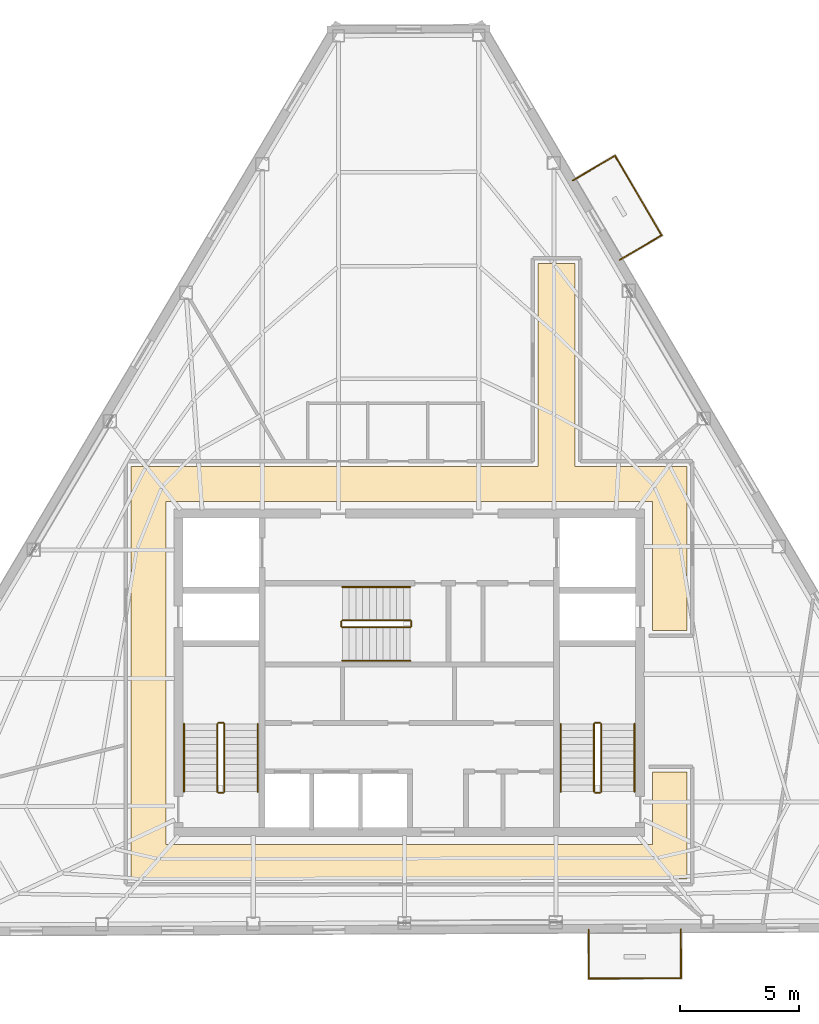
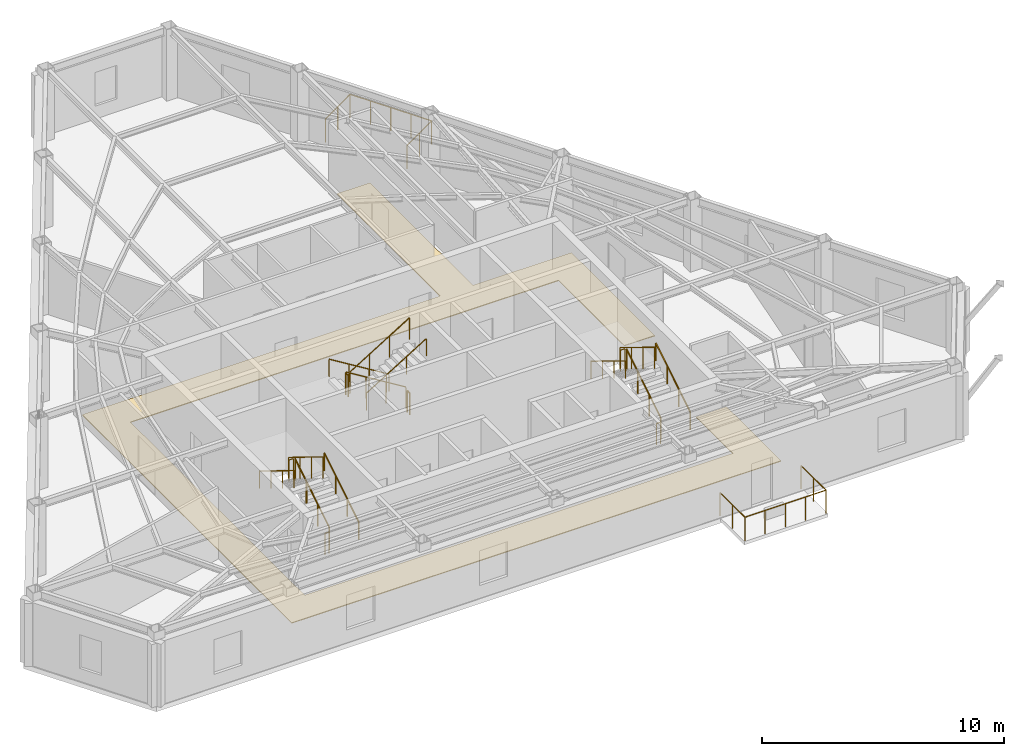
# One storey, part 9 of 9: 24 railings, 1 covering.
"""IFC4 building model written with IfcOpenShell, lengths in metres."""

from ifc_helpers import new_model, si_unit, direction, frame, origin, origin_2d, place, context, subcontext, project, spatial, polyline, circle, outline, extrude, material, layer, layer_set, type_object, element, save


model = new_model("IFC4")

# Units and contexts
model_context = context("Model", 3, precision=1e-05, world=origin(), true_north=direction((0.0, 1.0)))
body_context = subcontext(model_context, "Body", "Model", "MODEL_VIEW")
ifc_project = project(units=[si_unit("LENGTHUNIT", "METRE"), si_unit("AREAUNIT", "SQUARE_METRE"), si_unit("VOLUMEUNIT", "CUBIC_METRE"), si_unit("PLANEANGLEUNIT", "RADIAN"), si_unit("MASSUNIT", "GRAM", prefix="KILO")], contexts=[model_context])

# Site, building, storey
site_placement = place(None, origin())
site = spatial("IfcSite", under=ifc_project, at=site_placement, CompositionType="ELEMENT")
building_placement = place(site_placement, origin())
building = spatial("IfcBuilding", under=site, at=building_placement, Name="Kavelnor Concourse Tower", CompositionType="ELEMENT")
storey_placement = place(building_placement, frame((0.0, 0.0, 278.0)))
storey = spatial("IfcBuildingStorey", under=building, at=storey_placement, Name="L70", CompositionType="ELEMENT", Elevation=278.0)

# Covering
ifc_material_1 = material(Name="Honed bluestone and raised access floor finish", Category="masonry")
ifc_layer = layer(ifc_material_1, 0.0400390625, Name="Honed bluestone and raised access floor finish")
ifc_layer_set = layer_set([ifc_layer], Name="Honed bluestone and raised access floor finish")
covering_type = type_object("IfcCoveringType", Name="COV-FLOOR-STONE", PredefinedType="FLOORING", material=ifc_layer_set)
covering_placement = place(storey_placement, frame((0.0, 0.0, 0.001953125)))
element("IfcCovering", 1, at=covering_placement, inside=storey, type_object=covering_type, Name="L70 Honed Bluestone Floor Finish", PredefinedType="FLOORING", context=body_context, shape_type="SweptSolid", body=[
    extrude(outline(polyline([(44.97998046875, 24.77001953125), (49.68994140625, 24.77001953125), (49.68994140625, 17.8701171875), (48.22998046875, 17.8701171875), (48.22998046875, 23.31005859375), (27.77001953125, 23.31005859375), (27.77001953125, 8.889892578125), (48.22998046875, 8.889892578125), (48.22998046875, 11.929931640625), (49.68994140625, 11.929931640625), (49.68994140625, 7.429931640625), (26.31005859375, 7.429931640625), (26.31005859375, 24.77001953125), (43.419921875, 24.77001953125), (43.419921875, 33.306640625), (44.97998046875, 33.306640625), (44.97998046875, 24.77001953125)])), origin(), (0.0, 0.0, 1.0), 0.0400390625),
])

# Railings
ifc_material_2 = material(Name="Steel Grade 350", Category="steel")
railing_type_1 = type_object("IfcRailingType", Name="RLG-GUARD-1100", PredefinedType="GUARDRAIL", material=ifc_material_2)
railing_1_placement = place(storey_placement, frame((30.22998046875, 11.10009765625, 0.175048828125)))
element("IfcRailing", 2, at=railing_1_placement, inside=storey, type_object=railing_type_1, Name="L70 ST1 stair guard 1", PredefinedType="GUARDRAIL", context=body_context, shape_type="SweptSolid", body=[
    extrude(circle(Radius=0.02392578125, at=origin_2d()), frame((0.0, 0.0, 1.076171875), z_axis=(0.0, 0.852159232446, 0.523282564737), x_axis=(-1.0, 0.0, 0.0)), (0.0, 0.0, 1.0), 3.34423828125),
    extrude(circle(Radius=0.02099609375, at=origin_2d()), origin(), (0.0, 0.0, 1.0), 1.052001953125),
    extrude(circle(Radius=0.02099609375, at=origin_2d()), frame((0.0, 0.949951171875, 0.583251953125)), (0.0, 0.0, 1.0), 1.052001953125),
    extrude(circle(Radius=0.02099609375, at=origin_2d()), frame((0.0, 1.89990234375, 1.166748046875)), (0.0, 0.0, 1.0), 1.052001953125),
    extrude(circle(Radius=0.02099609375, at=origin_2d()), frame((0.0, 2.849853515625, 1.75)), (0.0, 0.0, 1.0), 1.052001953125),
])
railing_2_placement = place(storey_placement, frame((30.179931640625, 14.0, 1.925048828125)))
element("IfcRailing", 3, at=railing_2_placement, inside=storey, type_object=railing_type_1, Name="L70 ST1 stair guard 2", PredefinedType="GUARDRAIL", context=body_context, shape_type="SweptSolid", body=[
    extrude(circle(Radius=0.02392578125, at=origin_2d()), frame((0.0, 0.0, 1.076171875), z_axis=(-1.0, 0.0, 0.0), x_axis=(0.0, -1.0, 0.0)), (0.0, 0.0, 1.0), 0.199951171875),
    extrude(circle(Radius=0.02099609375, at=origin_2d()), origin(), (0.0, 0.0, 1.0), 1.052001953125),
    extrude(circle(Radius=0.02099609375, at=origin_2d()), frame((-0.199951171875, 0.0, 0.0)), (0.0, 0.0, 1.0), 1.052001953125),
])
railing_3_placement = place(storey_placement, frame((29.929931640625, 13.949951171875, 2.10009765625)))
element("IfcRailing", 4, at=railing_3_placement, inside=storey, type_object=railing_type_1, Name="L70 ST1 stair guard 3", PredefinedType="GUARDRAIL", context=body_context, shape_type="SweptSolid", body=[
    extrude(circle(Radius=0.02392578125, at=origin_2d()), frame((0.0, 0.0, 1.076171875), z_axis=(0.0, -0.852159232446, 0.523282564737), x_axis=(1.0, 0.0, 0.0)), (0.0, 0.0, 1.0), 3.34423828125),
    extrude(circle(Radius=0.02099609375, at=origin_2d()), origin(), (0.0, 0.0, 1.0), 1.052001953125),
    extrude(circle(Radius=0.02099609375, at=origin_2d()), frame((0.0, -0.949951171875, 0.583251953125)), (0.0, 0.0, 1.0), 1.052001953125),
    extrude(circle(Radius=0.02099609375, at=origin_2d()), frame((0.0, -1.89990234375, 1.166748046875)), (0.0, 0.0, 1.0), 1.052001953125),
    extrude(circle(Radius=0.02099609375, at=origin_2d()), frame((0.0, -2.849853515625, 1.75)), (0.0, 0.0, 1.0), 1.052001953125),
])
railing_4_placement = place(storey_placement, frame((30.179931640625, 11.050048828125, 0.0)))
element("IfcRailing", 5, at=railing_4_placement, inside=storey, type_object=railing_type_1, Name="L70 ST1 stair guard 4", PredefinedType="GUARDRAIL", context=body_context, shape_type="SweptSolid", body=[
    extrude(circle(Radius=0.02392578125, at=origin_2d()), frame((0.0, 0.0, 1.076171875), z_axis=(-1.0, 0.0, 0.0), x_axis=(0.0, -1.0, 0.0)), (0.0, 0.0, 1.0), 0.199951171875),
    extrude(circle(Radius=0.02099609375, at=origin_2d()), origin(), (0.0, 0.0, 1.0), 1.052001953125),
    extrude(circle(Radius=0.02099609375, at=origin_2d()), frame((-0.199951171875, 0.0, 0.0)), (0.0, 0.0, 1.0), 1.052001953125),
])
railing_5_placement = place(storey_placement, frame((46.070068359375, 11.10009765625, 0.175048828125)))
element("IfcRailing", 6, at=railing_5_placement, inside=storey, type_object=railing_type_1, Name="L70 ST2 stair guard 1", PredefinedType="GUARDRAIL", context=body_context, shape_type="SweptSolid", body=[
    extrude(circle(Radius=0.02392578125, at=origin_2d()), frame((0.0, 0.0, 1.076171875), z_axis=(0.0, 0.852159232446, 0.523282564737), x_axis=(-1.0, 0.0, 0.0)), (0.0, 0.0, 1.0), 3.34423828125),
    extrude(circle(Radius=0.02099609375, at=origin_2d()), origin(), (0.0, 0.0, 1.0), 1.052001953125),
    extrude(circle(Radius=0.02099609375, at=origin_2d()), frame((0.0, 0.949951171875, 0.583251953125)), (0.0, 0.0, 1.0), 1.052001953125),
    extrude(circle(Radius=0.02099609375, at=origin_2d()), frame((0.0, 1.89990234375, 1.166748046875)), (0.0, 0.0, 1.0), 1.052001953125),
    extrude(circle(Radius=0.02099609375, at=origin_2d()), frame((0.0, 2.849853515625, 1.75)), (0.0, 0.0, 1.0), 1.052001953125),
])
railing_6_placement = place(storey_placement, frame((46.02001953125, 14.0, 1.925048828125)))
element("IfcRailing", 7, at=railing_6_placement, inside=storey, type_object=railing_type_1, Name="L70 ST2 stair guard 2", PredefinedType="GUARDRAIL", context=body_context, shape_type="SweptSolid", body=[
    extrude(circle(Radius=0.02392578125, at=origin_2d()), frame((0.0, 0.0, 1.076171875), z_axis=(-1.0, 0.0, 0.0), x_axis=(0.0, -1.0, 0.0)), (0.0, 0.0, 1.0), 0.199951171875),
    extrude(circle(Radius=0.02099609375, at=origin_2d()), origin(), (0.0, 0.0, 1.0), 1.052001953125),
    extrude(circle(Radius=0.02099609375, at=origin_2d()), frame((-0.199951171875, 0.0, 0.0)), (0.0, 0.0, 1.0), 1.052001953125),
])
railing_7_placement = place(storey_placement, frame((45.77001953125, 13.949951171875, 2.10009765625)))
element("IfcRailing", 8, at=railing_7_placement, inside=storey, type_object=railing_type_1, Name="L70 ST2 stair guard 3", PredefinedType="GUARDRAIL", context=body_context, shape_type="SweptSolid", body=[
    extrude(circle(Radius=0.02392578125, at=origin_2d()), frame((0.0, 0.0, 1.076171875), z_axis=(0.0, -0.852159232446, 0.523282564737), x_axis=(1.0, 0.0, 0.0)), (0.0, 0.0, 1.0), 3.34423828125),
    extrude(circle(Radius=0.02099609375, at=origin_2d()), origin(), (0.0, 0.0, 1.0), 1.052001953125),
    extrude(circle(Radius=0.02099609375, at=origin_2d()), frame((0.0, -0.949951171875, 0.583251953125)), (0.0, 0.0, 1.0), 1.052001953125),
    extrude(circle(Radius=0.02099609375, at=origin_2d()), frame((0.0, -1.89990234375, 1.166748046875)), (0.0, 0.0, 1.0), 1.052001953125),
    extrude(circle(Radius=0.02099609375, at=origin_2d()), frame((0.0, -2.849853515625, 1.75)), (0.0, 0.0, 1.0), 1.052001953125),
])
railing_8_placement = place(storey_placement, frame((46.02001953125, 11.050048828125, 0.0)))
element("IfcRailing", 9, at=railing_8_placement, inside=storey, type_object=railing_type_1, Name="L70 ST2 stair guard 4", PredefinedType="GUARDRAIL", context=body_context, shape_type="SweptSolid", body=[
    extrude(circle(Radius=0.02392578125, at=origin_2d()), frame((0.0, 0.0, 1.076171875), z_axis=(-1.0, 0.0, 0.0), x_axis=(0.0, -1.0, 0.0)), (0.0, 0.0, 1.0), 0.199951171875),
    extrude(circle(Radius=0.02099609375, at=origin_2d()), origin(), (0.0, 0.0, 1.0), 1.052001953125),
    extrude(circle(Radius=0.02099609375, at=origin_2d()), frame((-0.199951171875, 0.0, 0.0)), (0.0, 0.0, 1.0), 1.052001953125),
])
railing_9_placement = place(storey_placement, frame((38.0400390625, 18.31005859375, 0.175048828125)))
element("IfcRailing", 10, at=railing_9_placement, inside=storey, type_object=railing_type_1, Name="L70 ST3 stair guard 1", PredefinedType="GUARDRAIL", context=body_context, shape_type="SweptSolid", body=[
    extrude(circle(Radius=0.02392578125, at=origin_2d()), frame((0.0, 0.0, 1.076171875), z_axis=(-0.852179220489, 0.0, 0.52325001306), x_axis=(0.0, -1.0, 0.0)), (0.0, 0.0, 1.0), 3.344482421875),
    extrude(circle(Radius=0.02099609375, at=origin_2d()), origin(), (0.0, 0.0, 1.0), 1.052001953125),
    extrude(circle(Radius=0.02099609375, at=origin_2d()), frame((-0.949951171875, 0.0, 0.583251953125)), (0.0, 0.0, 1.0), 1.052001953125),
    extrude(circle(Radius=0.02099609375, at=origin_2d()), frame((-1.900146484375, 0.0, 1.166748046875)), (0.0, 0.0, 1.0), 1.052001953125),
    extrude(circle(Radius=0.02099609375, at=origin_2d()), frame((-2.85009765625, 0.0, 1.75)), (0.0, 0.0, 1.0), 1.052001953125),
])
railing_10_placement = place(storey_placement, frame((35.139892578125, 18.260009765625, 1.925048828125)))
element("IfcRailing", 11, at=railing_10_placement, inside=storey, type_object=railing_type_1, Name="L70 ST3 stair guard 2", PredefinedType="GUARDRAIL", context=body_context, shape_type="SweptSolid", body=[
    extrude(circle(Radius=0.02392578125, at=origin_2d()), frame((0.0, 0.0, 1.076171875), z_axis=(0.0, -1.0, 0.0), x_axis=(1.0, 0.0, 0.0)), (0.0, 0.0, 1.0), 0.199951171875),
    extrude(circle(Radius=0.02099609375, at=origin_2d()), origin(), (0.0, 0.0, 1.0), 1.052001953125),
    extrude(circle(Radius=0.02099609375, at=origin_2d()), frame((0.0, -0.199951171875, 0.0)), (0.0, 0.0, 1.0), 1.052001953125),
])
railing_11_placement = place(storey_placement, frame((35.18994140625, 18.010009765625, 2.10009765625)))
element("IfcRailing", 12, at=railing_11_placement, inside=storey, type_object=railing_type_1, Name="L70 ST3 stair guard 3", PredefinedType="GUARDRAIL", context=body_context, shape_type="SweptSolid", body=[
    extrude(circle(Radius=0.02392578125, at=origin_2d()), frame((0.0, 0.0, 1.076171875), z_axis=(0.852179220489, 0.0, 0.52325001306), x_axis=(0.0, 1.0, 0.0)), (0.0, 0.0, 1.0), 3.344482421875),
    extrude(circle(Radius=0.02099609375, at=origin_2d()), origin(), (0.0, 0.0, 1.0), 1.052001953125),
    extrude(circle(Radius=0.02099609375, at=origin_2d()), frame((0.949951171875, 0.0, 0.583251953125)), (0.0, 0.0, 1.0), 1.052001953125),
    extrude(circle(Radius=0.02099609375, at=origin_2d()), frame((1.900146484375, 0.0, 1.166748046875)), (0.0, 0.0, 1.0), 1.052001953125),
    extrude(circle(Radius=0.02099609375, at=origin_2d()), frame((2.85009765625, 0.0, 1.75)), (0.0, 0.0, 1.0), 1.052001953125),
])
railing_12_placement = place(storey_placement, frame((38.090087890625, 18.260009765625, 0.0)))
element("IfcRailing", 13, at=railing_12_placement, inside=storey, type_object=railing_type_1, Name="L70 ST3 stair guard 4", PredefinedType="GUARDRAIL", context=body_context, shape_type="SweptSolid", body=[
    extrude(circle(Radius=0.02392578125, at=origin_2d()), frame((0.0, 0.0, 1.076171875), z_axis=(0.0, -1.0, 0.0), x_axis=(1.0, 0.0, 0.0)), (0.0, 0.0, 1.0), 0.199951171875),
    extrude(circle(Radius=0.02099609375, at=origin_2d()), origin(), (0.0, 0.0, 1.0), 1.052001953125),
    extrude(circle(Radius=0.02099609375, at=origin_2d()), frame((0.0, -0.199951171875, 0.0)), (0.0, 0.0, 1.0), 1.052001953125),
])
railing_type_2 = type_object("IfcRailingType", Name="RLG-HANDRAIL-900", PredefinedType="HANDRAIL", material=ifc_material_2)
railing_13_placement = place(storey_placement, frame((31.6298828125, 11.10009765625, 0.175048828125)))
element("IfcRailing", 14, at=railing_13_placement, inside=storey, type_object=railing_type_2, Name="L70 ST1 stair handrail 1", PredefinedType="HANDRAIL", context=body_context, shape_type="SweptSolid", body=[
    extrude(circle(Radius=0.02392578125, at=origin_2d()), frame((0.0, 0.0, 0.8759765625), z_axis=(0.0, 0.852159232446, 0.523282564737), x_axis=(-1.0, 0.0, 0.0)), (0.0, 0.0, 1.0), 3.34423828125),
    extrude(circle(Radius=0.02099609375, at=origin_2d()), origin(), (0.0, 0.0, 1.0), 0.851806640625),
    extrude(circle(Radius=0.02099609375, at=origin_2d()), frame((0.0, 0.949951171875, 0.583251953125)), (0.0, 0.0, 1.0), 0.851806640625),
    extrude(circle(Radius=0.02099609375, at=origin_2d()), frame((0.0, 1.89990234375, 1.166748046875)), (0.0, 0.0, 1.0), 0.851806640625),
    extrude(circle(Radius=0.02099609375, at=origin_2d()), frame((0.0, 2.849853515625, 1.75)), (0.0, 0.0, 1.0), 0.851806640625),
])
railing_14_placement = place(storey_placement, frame((28.530029296875, 13.949951171875, 2.10009765625)))
element("IfcRailing", 15, at=railing_14_placement, inside=storey, type_object=railing_type_2, Name="L70 ST1 stair handrail 2", PredefinedType="HANDRAIL", context=body_context, shape_type="SweptSolid", body=[
    extrude(circle(Radius=0.02392578125, at=origin_2d()), frame((0.0, 0.0, 0.8759765625), z_axis=(0.0, -0.852159232446, 0.523282564737), x_axis=(1.0, 0.0, 0.0)), (0.0, 0.0, 1.0), 3.34423828125),
    extrude(circle(Radius=0.02099609375, at=origin_2d()), origin(), (0.0, 0.0, 1.0), 0.851806640625),
    extrude(circle(Radius=0.02099609375, at=origin_2d()), frame((0.0, -0.949951171875, 0.583251953125)), (0.0, 0.0, 1.0), 0.851806640625),
    extrude(circle(Radius=0.02099609375, at=origin_2d()), frame((0.0, -1.89990234375, 1.166748046875)), (0.0, 0.0, 1.0), 0.851806640625),
    extrude(circle(Radius=0.02099609375, at=origin_2d()), frame((0.0, -2.849853515625, 1.75)), (0.0, 0.0, 1.0), 0.851806640625),
])
railing_15_placement = place(storey_placement, frame((47.469970703125, 11.10009765625, 0.175048828125)))
element("IfcRailing", 16, at=railing_15_placement, inside=storey, type_object=railing_type_2, Name="L70 ST2 stair handrail 1", PredefinedType="HANDRAIL", context=body_context, shape_type="SweptSolid", body=[
    extrude(circle(Radius=0.02392578125, at=origin_2d()), frame((0.0, 0.0, 0.8759765625), z_axis=(0.0, 0.852159232446, 0.523282564737), x_axis=(-1.0, 0.0, 0.0)), (0.0, 0.0, 1.0), 3.34423828125),
    extrude(circle(Radius=0.02099609375, at=origin_2d()), origin(), (0.0, 0.0, 1.0), 0.851806640625),
    extrude(circle(Radius=0.02099609375, at=origin_2d()), frame((0.0, 0.949951171875, 0.583251953125)), (0.0, 0.0, 1.0), 0.851806640625),
    extrude(circle(Radius=0.02099609375, at=origin_2d()), frame((0.0, 1.89990234375, 1.166748046875)), (0.0, 0.0, 1.0), 0.851806640625),
    extrude(circle(Radius=0.02099609375, at=origin_2d()), frame((0.0, 2.849853515625, 1.75)), (0.0, 0.0, 1.0), 0.851806640625),
])
railing_16_placement = place(storey_placement, frame((44.3701171875, 13.949951171875, 2.10009765625)))
element("IfcRailing", 17, at=railing_16_placement, inside=storey, type_object=railing_type_2, Name="L70 ST2 stair handrail 2", PredefinedType="HANDRAIL", context=body_context, shape_type="SweptSolid", body=[
    extrude(circle(Radius=0.02392578125, at=origin_2d()), frame((0.0, 0.0, 0.8759765625), z_axis=(0.0, -0.852159232446, 0.523282564737), x_axis=(1.0, 0.0, 0.0)), (0.0, 0.0, 1.0), 3.34423828125),
    extrude(circle(Radius=0.02099609375, at=origin_2d()), origin(), (0.0, 0.0, 1.0), 0.851806640625),
    extrude(circle(Radius=0.02099609375, at=origin_2d()), frame((0.0, -0.949951171875, 0.583251953125)), (0.0, 0.0, 1.0), 0.851806640625),
    extrude(circle(Radius=0.02099609375, at=origin_2d()), frame((0.0, -1.89990234375, 1.166748046875)), (0.0, 0.0, 1.0), 0.851806640625),
    extrude(circle(Radius=0.02099609375, at=origin_2d()), frame((0.0, -2.849853515625, 1.75)), (0.0, 0.0, 1.0), 0.851806640625),
])
railing_17_placement = place(storey_placement, frame((38.0400390625, 19.7099609375, 0.175048828125)))
element("IfcRailing", 18, at=railing_17_placement, inside=storey, type_object=railing_type_2, Name="L70 ST3 stair handrail 1", PredefinedType="HANDRAIL", context=body_context, shape_type="SweptSolid", body=[
    extrude(circle(Radius=0.02392578125, at=origin_2d()), frame((0.0, 0.0, 0.8759765625), z_axis=(-0.852179220489, 0.0, 0.52325001306), x_axis=(0.0, -1.0, 0.0)), (0.0, 0.0, 1.0), 3.344482421875),
    extrude(circle(Radius=0.02099609375, at=origin_2d()), origin(), (0.0, 0.0, 1.0), 0.851806640625),
    extrude(circle(Radius=0.02099609375, at=origin_2d()), frame((-0.949951171875, 0.0, 0.583251953125)), (0.0, 0.0, 1.0), 0.851806640625),
    extrude(circle(Radius=0.02099609375, at=origin_2d()), frame((-1.900146484375, 0.0, 1.166748046875)), (0.0, 0.0, 1.0), 0.851806640625),
    extrude(circle(Radius=0.02099609375, at=origin_2d()), frame((-2.85009765625, 0.0, 1.75)), (0.0, 0.0, 1.0), 0.851806640625),
])
railing_18_placement = place(storey_placement, frame((35.18994140625, 16.610107421875, 2.10009765625)))
element("IfcRailing", 19, at=railing_18_placement, inside=storey, type_object=railing_type_2, Name="L70 ST3 stair handrail 2", PredefinedType="HANDRAIL", context=body_context, shape_type="SweptSolid", body=[
    extrude(circle(Radius=0.02392578125, at=origin_2d()), frame((0.0, 0.0, 0.8759765625), z_axis=(0.852179220489, 0.0, 0.52325001306), x_axis=(0.0, 1.0, 0.0)), (0.0, 0.0, 1.0), 3.344482421875),
    extrude(circle(Radius=0.02099609375, at=origin_2d()), origin(), (0.0, 0.0, 1.0), 0.851806640625),
    extrude(circle(Radius=0.02099609375, at=origin_2d()), frame((0.949951171875, 0.0, 0.583251953125)), (0.0, 0.0, 1.0), 0.851806640625),
    extrude(circle(Radius=0.02099609375, at=origin_2d()), frame((1.900146484375, 0.0, 1.166748046875)), (0.0, 0.0, 1.0), 0.851806640625),
    extrude(circle(Radius=0.02099609375, at=origin_2d()), frame((2.85009765625, 0.0, 1.75)), (0.0, 0.0, 1.0), 0.851806640625),
])
ifc_material_3 = material(Name="Architectural bronze-anodised aluminium", Category="aluminium")
railing_type_3 = type_object("IfcRailingType", Name="RLG-TERRACE-1200", PredefinedType="BALUSTRADE", material=ifc_material_3)
railing_19_placement = place(storey_placement, frame((45.54150390625, 5.2939453125, 0.0)))
element("IfcRailing", 20, at=railing_19_placement, inside=storey, type_object=railing_type_3, Name="L70 Tree Balcony 1 Guardrail L", PredefinedType="BALUSTRADE", context=body_context, shape_type="SweptSolid", body=[
    extrude(circle(Radius=0.02392578125, at=origin_2d()), frame((0.0, 0.0, 1.17578125), z_axis=(0.00440629282, -0.999990292245, 0.0), x_axis=(0.999990292245, 0.00440629282, 0.0)), (0.0, 0.0, 1.0), 2.050048828125),
    extrude(circle(Radius=0.02099609375, at=origin_2d()), origin(), (0.0, 0.0, 1.0), 1.15185546875),
    extrude(circle(Radius=0.02099609375, at=origin_2d()), frame((0.00439453125, -1.02490234375, 0.0)), (0.0, 0.0, 1.0), 1.15185546875),
    extrude(circle(Radius=0.02099609375, at=origin_2d()), frame((0.009033203125, -2.050048828125, 0.0)), (0.0, 0.0, 1.0), 1.15185546875),
])
railing_20_placement = place(storey_placement, frame((45.550537109375, 3.243896484375, 0.0)))
element("IfcRailing", 21, at=railing_20_placement, inside=storey, type_object=railing_type_3, Name="L70 Tree Balcony 1 Guardrail F", PredefinedType="BALUSTRADE", context=body_context, shape_type="SweptSolid", body=[
    extrude(circle(Radius=0.02392578125, at=origin_2d()), frame((0.0, 0.0, 1.17578125), z_axis=(0.999990299309, 0.004404689212, 0.0), x_axis=(-0.004404689212, 0.999990299309, 0.0)), (0.0, 0.0, 1.0), 3.8798828125),
    extrude(circle(Radius=0.02099609375, at=origin_2d()), origin(), (0.0, 0.0, 1.0), 1.15185546875),
    extrude(circle(Radius=0.02099609375, at=origin_2d()), frame((0.969970703125, 0.00439453125, 0.0)), (0.0, 0.0, 1.0), 1.15185546875),
    extrude(circle(Radius=0.02099609375, at=origin_2d()), frame((1.93994140625, 0.008544921875, 0.0)), (0.0, 0.0, 1.0), 1.15185546875),
    extrude(circle(Radius=0.02099609375, at=origin_2d()), frame((2.909912109375, 0.0126953125, 0.0)), (0.0, 0.0, 1.0), 1.15185546875),
    extrude(circle(Radius=0.02099609375, at=origin_2d()), frame((3.8798828125, 0.01708984375, 0.0)), (0.0, 0.0, 1.0), 1.15185546875),
])
railing_21_placement = place(storey_placement, frame((49.430419921875, 3.260986328125, 0.0)))
element("IfcRailing", 22, at=railing_21_placement, inside=storey, type_object=railing_type_3, Name="L70 Tree Balcony 1 Guardrail R", PredefinedType="BALUSTRADE", context=body_context, shape_type="SweptSolid", body=[
    extrude(circle(Radius=0.02392578125, at=origin_2d()), frame((0.0, 0.0, 1.17578125), z_axis=(-0.00440629282, 0.999990292245, 0.0), x_axis=(-0.999990292245, -0.00440629282, 0.0)), (0.0, 0.0, 1.0), 2.050048828125),
    extrude(circle(Radius=0.02099609375, at=origin_2d()), origin(), (0.0, 0.0, 1.0), 1.15185546875),
    extrude(circle(Radius=0.02099609375, at=origin_2d()), frame((-0.00439453125, 1.02490234375, 0.0)), (0.0, 0.0, 1.0), 1.15185546875),
    extrude(circle(Radius=0.02099609375, at=origin_2d()), frame((-0.009033203125, 2.050048828125, 0.0)), (0.0, 0.0, 1.0), 1.15185546875),
])
railing_22_placement = place(storey_placement, frame((46.84619140625, 33.458251953125, 0.0)))
element("IfcRailing", 23, at=railing_22_placement, inside=storey, type_object=railing_type_3, Name="L70 Tree Balcony 2 Guardrail L", PredefinedType="BALUSTRADE", context=body_context, shape_type="SweptSolid", body=[
    extrude(circle(Radius=0.02392578125, at=origin_2d()), frame((0.0, 0.0, 1.17578125), z_axis=(0.862402221813, 0.506223673699, 0.0), x_axis=(-0.506223673699, 0.862402221813, 0.0)), (0.0, 0.0, 1.0), 2.050048828125),
    extrude(circle(Radius=0.02099609375, at=origin_2d()), origin(), (0.0, 0.0, 1.0), 1.15185546875),
    extrude(circle(Radius=0.02099609375, at=origin_2d()), frame((0.884033203125, 0.51904296875, 0.0)), (0.0, 0.0, 1.0), 1.15185546875),
    extrude(circle(Radius=0.02099609375, at=origin_2d()), frame((1.76806640625, 1.037841796875, 0.0)), (0.0, 0.0, 1.0), 1.15185546875),
])
railing_23_placement = place(storey_placement, frame((48.6142578125, 34.49609375, 0.0)))
element("IfcRailing", 24, at=railing_23_placement, inside=storey, type_object=railing_type_3, Name="L70 Tree Balcony 2 Guardrail F", PredefinedType="BALUSTRADE", context=body_context, shape_type="SweptSolid", body=[
    extrude(circle(Radius=0.02392578125, at=origin_2d()), frame((0.0, 0.0, 1.17578125), z_axis=(-0.506208707705, 0.862411006564, 0.0), x_axis=(-0.862411006564, -0.506208707705, 0.0)), (0.0, 0.0, 1.0), 3.880126953125),
    extrude(circle(Radius=0.02099609375, at=origin_2d()), origin(), (0.0, 0.0, 1.0), 1.15185546875),
    extrude(circle(Radius=0.02099609375, at=origin_2d()), frame((-0.490966796875, 0.83642578125, 0.0)), (0.0, 0.0, 1.0), 1.15185546875),
    extrude(circle(Radius=0.02099609375, at=origin_2d()), frame((-0.98193359375, 1.673095703125, 0.0)), (0.0, 0.0, 1.0), 1.15185546875),
    extrude(circle(Radius=0.02099609375, at=origin_2d()), frame((-1.47314453125, 2.509765625, 0.0)), (0.0, 0.0, 1.0), 1.15185546875),
    extrude(circle(Radius=0.02099609375, at=origin_2d()), frame((-1.964111328125, 3.34619140625, 0.0)), (0.0, 0.0, 1.0), 1.15185546875),
])
railing_24_placement = place(storey_placement, frame((46.650146484375, 37.84228515625, 0.0)))
element("IfcRailing", 25, at=railing_24_placement, inside=storey, type_object=railing_type_3, Name="L70 Tree Balcony 2 Guardrail R", PredefinedType="BALUSTRADE", context=body_context, shape_type="SweptSolid", body=[
    extrude(circle(Radius=0.02392578125, at=origin_2d()), frame((0.0, 0.0, 1.17578125), z_axis=(-0.862371700504, -0.506275666184, 0.0), x_axis=(0.506275666184, -0.862371700504, 0.0)), (0.0, 0.0, 1.0), 2.050048828125),
    extrude(circle(Radius=0.02099609375, at=origin_2d()), origin(), (0.0, 0.0, 1.0), 1.15185546875),
    extrude(circle(Radius=0.02099609375, at=origin_2d()), frame((-0.8837890625, -0.51904296875, 0.0)), (0.0, 0.0, 1.0), 1.15185546875),
    extrude(circle(Radius=0.02099609375, at=origin_2d()), frame((-1.767822265625, -1.037841796875, 0.0)), (0.0, 0.0, 1.0), 1.15185546875),
])

save(model, "model.ifc")
